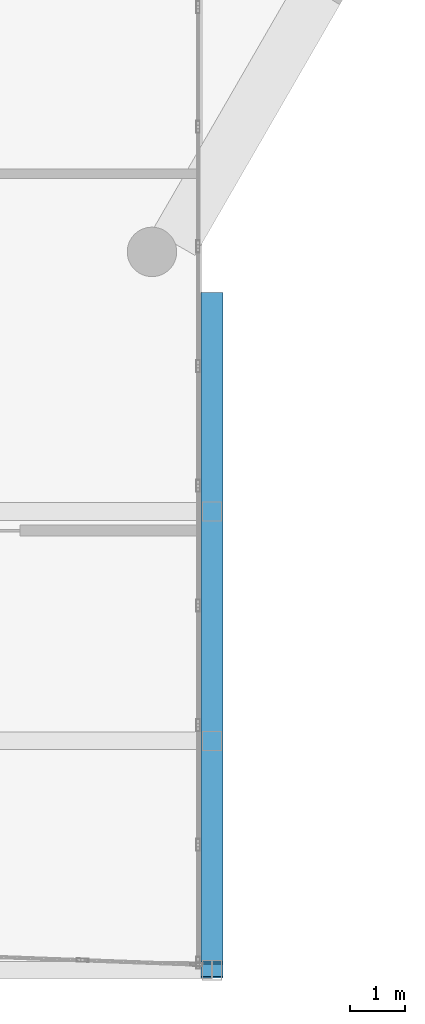
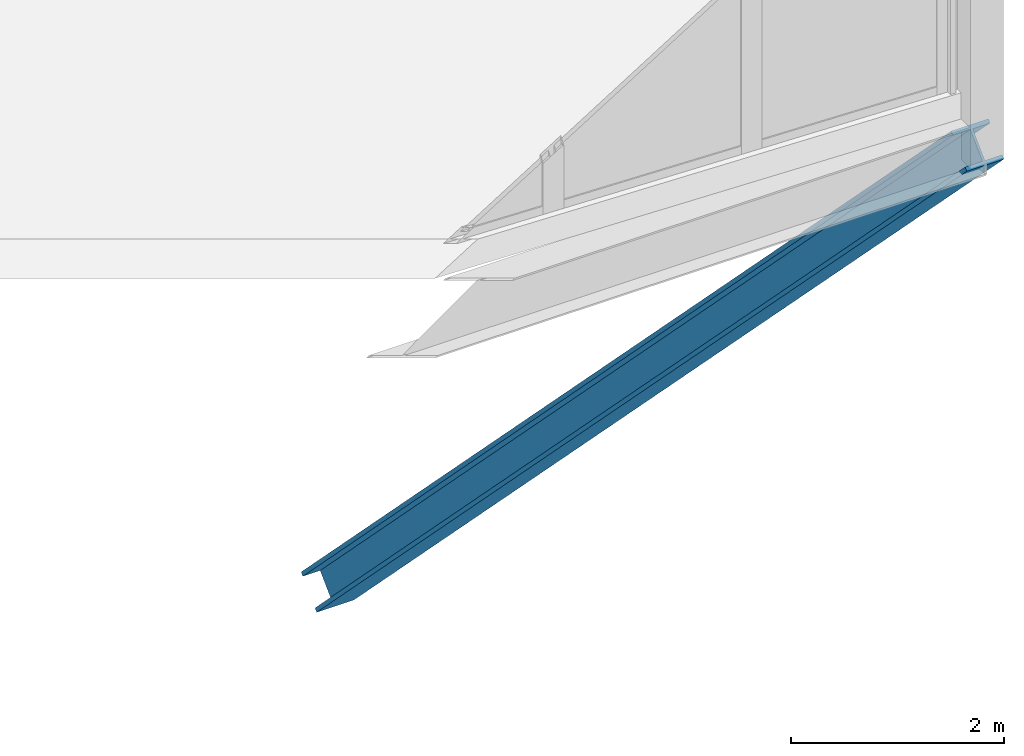
# One storey, part 9 of 34: 1 member.
"""IFC4 building model written with IfcOpenShell, lengths in metres."""

from ifc_helpers import new_model, si_unit, direction, frame, origin, origin_2d, place, context, subcontext, project, spatial, i_section, extrude, material, material_profile, profile_set, type_object, element, save


model = new_model("IFC4")

# Units and contexts
model_context = context("Model", 3, precision=1e-05, world=origin(), true_north=direction((0.0, 1.0)))
body_context = subcontext(model_context, "Body", "Model", "MODEL_VIEW")
ifc_project = project(units=[si_unit("LENGTHUNIT", "METRE"), si_unit("AREAUNIT", "SQUARE_METRE"), si_unit("VOLUMEUNIT", "CUBIC_METRE"), si_unit("PLANEANGLEUNIT", "RADIAN"), si_unit("MASSUNIT", "GRAM", prefix="KILO")], contexts=[model_context])

# Site, building, storey
site_placement = place(None, origin())
site = spatial("IfcSite", under=ifc_project, at=site_placement, CompositionType="ELEMENT")
building_placement = place(site_placement, origin())
building = spatial("IfcBuilding", under=site, at=building_placement, Name="Ostrander Bayou Hotel Tower", CompositionType="ELEMENT")
storey_placement = place(building_placement, frame((0.0, 0.0, 222.0)))
storey = spatial("IfcBuildingStorey", under=building, at=storey_placement, Name="L55", CompositionType="ELEMENT", Elevation=222.0)

# Member
ifc_material = material(Name="Steel ASTM A992", Category="steel")
ifc_material_profile = material_profile(ifc_material, i_section(OverallWidth=0.403564453125, OverallDepth=0.407470703125, WebThickness=0.027099609375, FlangeThickness=0.043701171875, at=origin_2d()))
ifc_profile_set = profile_set([ifc_material_profile], Name="Steel ASTM A992")
member_type = type_object("IfcMemberType", Name="TK2 bar kicker strut W14x233", PredefinedType="BRACE", material=ifc_profile_set)
member_placement = place(storey_placement, frame((10.764892578125, -29.5, -0.6611328125), z_axis=(0.0, 0.699935732793, -0.714205831647), x_axis=(-1.0, 0.0, 0.0)))
element("IfcMember", 1, at=member_placement, inside=storey, type_object=member_type, Name="TK2 SB5SB kicker", PredefinedType="BRACE", context=body_context, shape_type="SweptSolid", body=[
    extrude(i_section(OverallWidth=0.403564453125, OverallDepth=0.407470703125, WebThickness=0.027099609375, FlangeThickness=0.043701171875, at=origin_2d()), origin(), (0.0, 0.0, 1.0), 17.41650390625),
])

save(model, "model.ifc")
